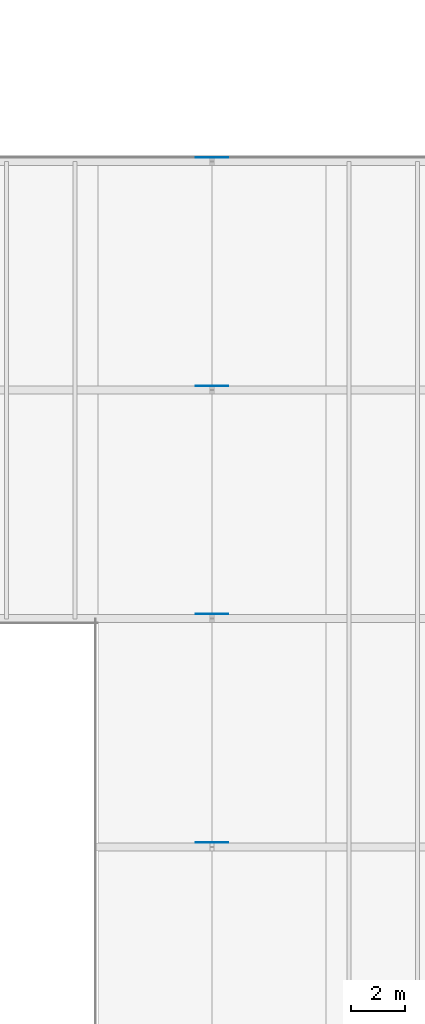
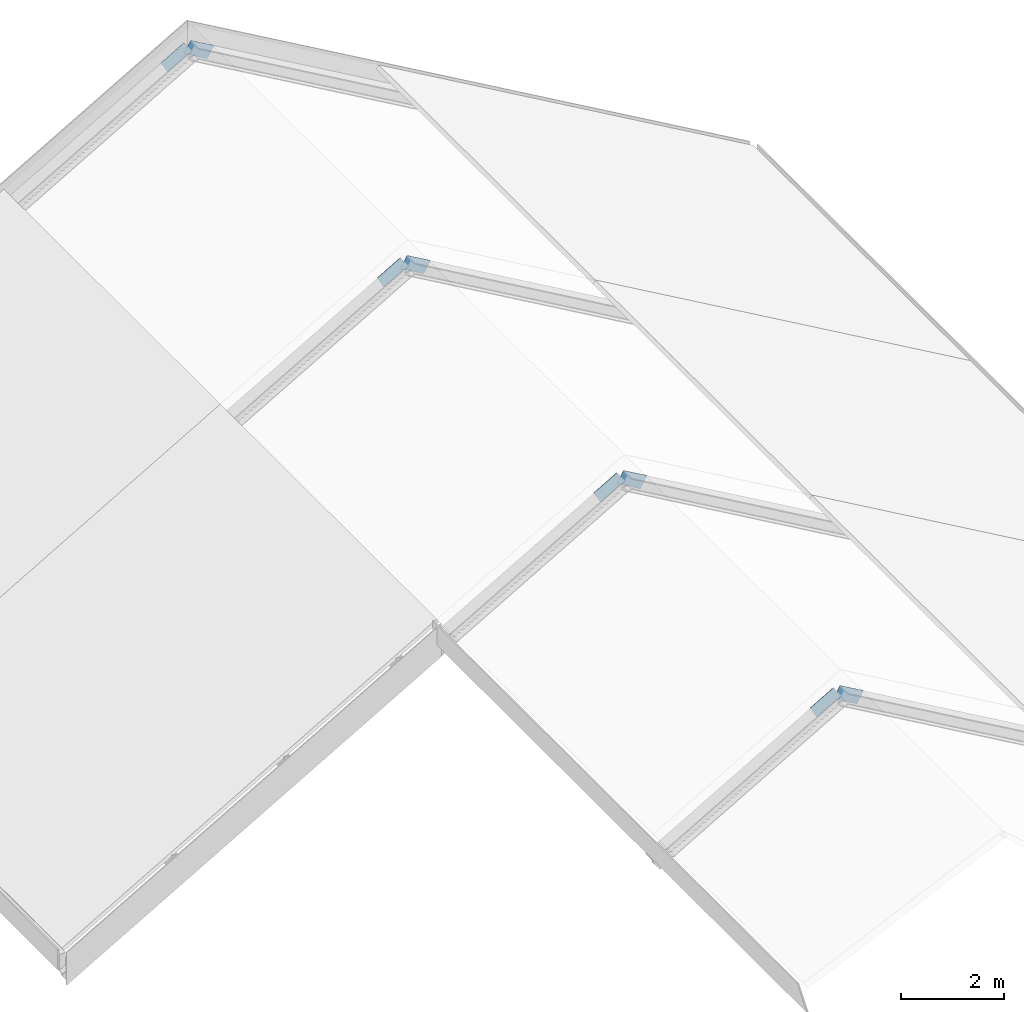
# One storey, part 19 of 37: 8 discrete accessories.
"""IFC4 building model written with IfcOpenShell, lengths in metres."""

from ifc_helpers import new_model, si_unit, direction, frame, origin, origin_2d, place, context, subcontext, project, spatial, rectangle, extrude, material, material_profile, profile_set, type_object, element, save


model = new_model("IFC4")

# Units and contexts
model_context = context("Model", 3, precision=1e-05, world=origin(), true_north=direction((0.0, 1.0)))
body_context = subcontext(model_context, "Body", "Model", "MODEL_VIEW")
ifc_project = project(units=[si_unit("LENGTHUNIT", "METRE"), si_unit("AREAUNIT", "SQUARE_METRE"), si_unit("VOLUMEUNIT", "CUBIC_METRE"), si_unit("PLANEANGLEUNIT", "RADIAN"), si_unit("MASSUNIT", "GRAM", prefix="KILO")], contexts=[model_context])

# Site, building, storey
site_placement = place(None, origin())
site = spatial("IfcSite", under=ifc_project, at=site_placement, CompositionType="ELEMENT")
building_placement = place(site_placement, origin())
building = spatial("IfcBuilding", under=site, at=building_placement, Name="Larchfold Concert Hall", CompositionType="ELEMENT")
storey_placement = place(building_placement, frame((0.0, 0.0, 19.199951171875)))
storey = spatial("IfcBuildingStorey", under=building, at=storey_placement, Name="L04", CompositionType="ELEMENT", Elevation=19.199951171875)

# Discrete accessories
ifc_material = material(Name="Steel S355 galvanised bracket", Category="steel")
ifc_material_profile = material_profile(ifc_material, rectangle(XDim=0.01611328125, YDim=0.300048828125, at=origin_2d()))
ifc_profile_set = profile_set([ifc_material_profile], Name="Steel S355 galvanised bracket")
discrete_accessory_type = type_object("IfcDiscreteAccessoryType", Name="Gusset plate 16x300", PredefinedType="BRACKET", material=ifc_profile_set)
for number, where, z_axis, x_axis, name in (
    (1, (88.280517578125, 76.35791015625, 6.34912109375), (0.865955154139, 0.0, 0.50012165622), (0.0, 1.0, 0.0), "Gusset plate GP0777"),
    (2, (88.800048828125, 76.35791015625, 6.649169921875), (0.865955154139, 0.0, -0.50012165622), (0.0, 1.0, 0.0), "Gusset plate GP0778"),
    (3, (88.280517578125, 84.758056640625, 6.34912109375), (0.865955154139, 0.0, 0.50012165622), (0.0, 1.0, 0.0), "Gusset plate GP0779"),
    (4, (88.800048828125, 84.758056640625, 6.649169921875), (0.865955154139, 0.0, -0.50012165622), (0.0, 1.0, 0.0), "Gusset plate GP0780"),
    (5, (88.280517578125, 93.157958984375, 6.34912109375), (0.865955154139, 0.0, 0.50012165622), (0.0, 1.0, 0.0), "Gusset plate GP0781"),
    (6, (88.800048828125, 93.157958984375, 6.649169921875), (0.865955154139, 0.0, -0.50012165622), (0.0, 1.0, 0.0), "Gusset plate GP0782"),
    (7, (88.280517578125, 101.557861328125, 6.34912109375), (0.865955154139, 0.0, 0.50012165622), (0.0, 1.0, 0.0), "Gusset plate GP0783"),
    (8, (88.800048828125, 101.557861328125, 6.649169921875), (0.865955154139, 0.0, -0.50012165622), (0.0, 1.0, 0.0), "Gusset plate GP0784"),
):
    element("IfcDiscreteAccessory", number, at=place(storey_placement, frame(where, z_axis=z_axis, x_axis=x_axis)), inside=storey, type_object=discrete_accessory_type, Name=name, PredefinedType="BRACKET", context=body_context, shape_type="SweptSolid", body=[
        extrude(rectangle(XDim=0.01611328125, YDim=0.300048828125, at=origin_2d()), origin(), (0.0, 0.0, 1.0), 0.599853515625),
    ])

save(model, "model.ifc")
